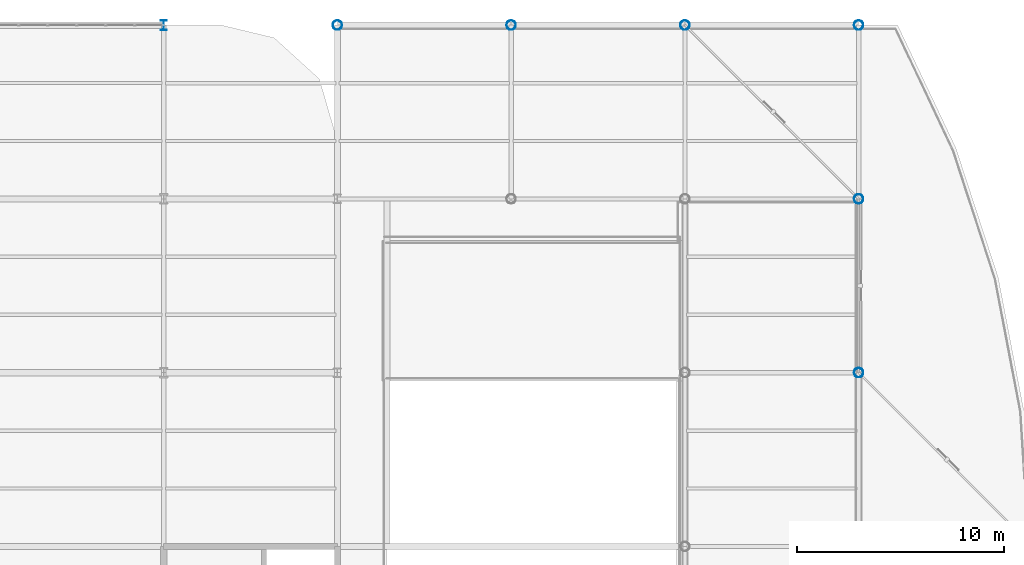
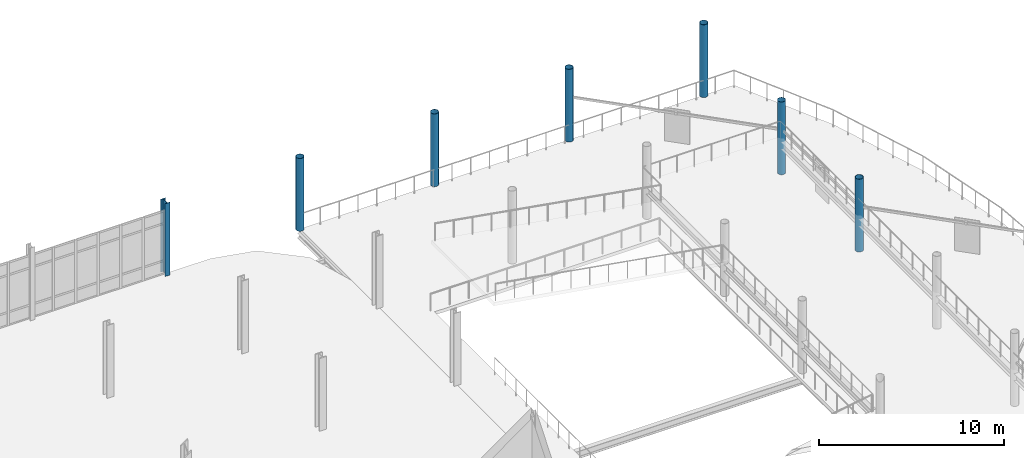
# One storey, part 21 of 145: 7 columns.
"""IFC4 building model written with IfcOpenShell, lengths in metres."""

from ifc_helpers import new_model, si_unit, direction, frame, origin, origin_2d, place, context, subcontext, project, spatial, hollow_circle, i_section, extrude, material, material_profile, profile_set, type_object, element, save


model = new_model("IFC4")

# Units and contexts
model_context = context("Model", 3, precision=1e-05, world=origin(), true_north=direction((0.0, 1.0)))
body_context = subcontext(model_context, "Body", "Model", "MODEL_VIEW")
ifc_project = project(units=[si_unit("LENGTHUNIT", "METRE"), si_unit("AREAUNIT", "SQUARE_METRE"), si_unit("VOLUMEUNIT", "CUBIC_METRE"), si_unit("PLANEANGLEUNIT", "RADIAN"), si_unit("MASSUNIT", "GRAM", prefix="KILO")], contexts=[model_context])

# Site, building, storey
site_placement = place(None, origin())
site = spatial("IfcSite", under=ifc_project, at=site_placement, CompositionType="ELEMENT")
building_placement = place(site_placement, origin())
building = spatial("IfcBuilding", under=site, at=building_placement, Name="Qalvenar Corner Mobility Hub", CompositionType="ELEMENT")
storey_placement = place(building_placement, origin())
storey = spatial("IfcBuildingStorey", under=building, at=storey_placement, Name="L00", CompositionType="ELEMENT", Elevation=0.0)

# Columns
ifc_material = material(Name="Steel S355", Category="steel")
ifc_material_profile_1 = material_profile(ifc_material, hollow_circle(Radius=0.228515625, WallThickness=0.01416015625, at=origin_2d()), Name="CHS457x14.2")
ifc_profile_set_1 = profile_set([ifc_material_profile_1], Name="Steel S355")
column_type_1 = type_object("IfcColumnType", Name="COL-CHS457", PredefinedType="COLUMN", material=ifc_profile_set_1)
for number, where, z_axis, x_axis, name in (
    (1, (142.800048828125, 117.60009765625, 0.0), (0.0, 0.0, 1.0), (1.0, 0.0, 0.0), "Steel Column L00-G18-14"),
    (2, (151.199951171875, 117.60009765625, 0.0), (0.0, 0.0, 1.0), (1.0, 0.0, 0.0), "Steel Column L00-G19-14"),
    (3, (159.60009765625, 117.60009765625, 0.0), (0.0, 0.0, 1.0), (1.0, 0.0, 0.0), "Steel Column L00-G20-14"),
    (4, (168.0, 100.800048828125, 0.0), (0.0, 0.0, 1.0), (1.0, 0.0, 0.0), "Steel Column L00-G21-12"),
    (5, (168.0, 109.199951171875, 0.0), (0.0, 0.0, 1.0), (1.0, 0.0, 0.0), "Steel Column L00-G21-13"),
    (6, (168.0, 117.60009765625, 0.0), (0.0, 0.0, 1.0), (1.0, 0.0, 0.0), "Steel Column L00-G21-14"),
):
    element("IfcColumn", number, at=place(storey_placement, frame(where, z_axis=z_axis, x_axis=x_axis)), inside=storey, type_object=column_type_1, Name=name, PredefinedType="COLUMN", context=body_context, shape_type="SweptSolid", body=[
        extrude(hollow_circle(Radius=0.228515625, WallThickness=0.01416015625, at=origin_2d()), origin(), (0.0, 0.0, 1.0), 4.800048828125),
    ])
ifc_material_profile_2 = material_profile(ifc_material, i_section(OverallWidth=0.300048828125, OverallDepth=0.5, WebThickness=0.014404296875, FlangeThickness=0.028076171875, FilletRadius=0.027099609375, at=origin_2d()), Name="HEB500")
ifc_profile_set_2 = profile_set([ifc_material_profile_2], Name="Steel S355")
column_type_2 = type_object("IfcColumnType", Name="COL-HEB500", PredefinedType="COLUMN", material=ifc_profile_set_2)
column_placement = place(storey_placement, frame((134.39990234375, 117.60009765625, 0.0), z_axis=(0.0, 0.0, 1.0), x_axis=(1.0, 0.0, 0.0)))
element("IfcColumn", 7, at=column_placement, inside=storey, type_object=column_type_2, Name="Steel Column L00-G17-14", PredefinedType="COLUMN", context=body_context, shape_type="SweptSolid", body=[
    extrude(i_section(OverallWidth=0.300048828125, OverallDepth=0.5, WebThickness=0.014404296875, FlangeThickness=0.028076171875, FilletRadius=0.027099609375, at=origin_2d()), origin(), (0.0, 0.0, 1.0), 4.800048828125),
])

save(model, "model.ifc")
